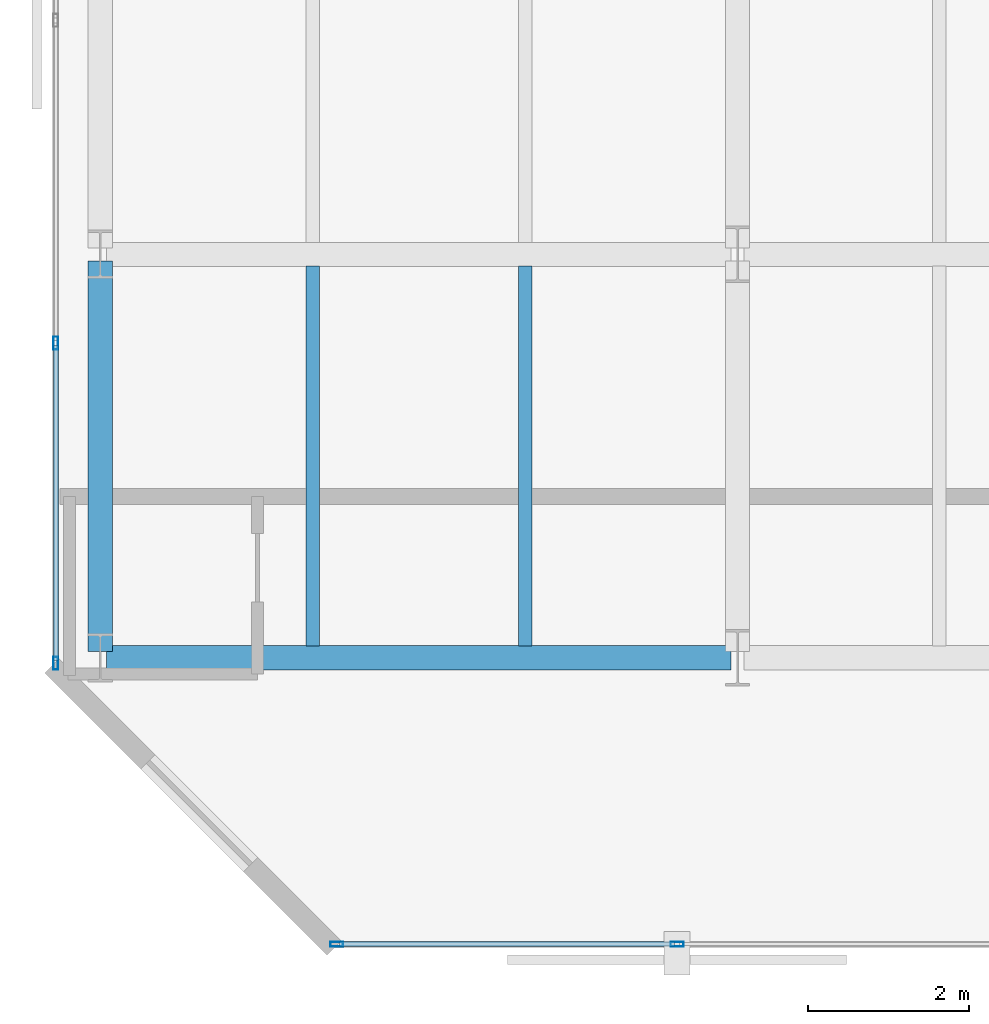
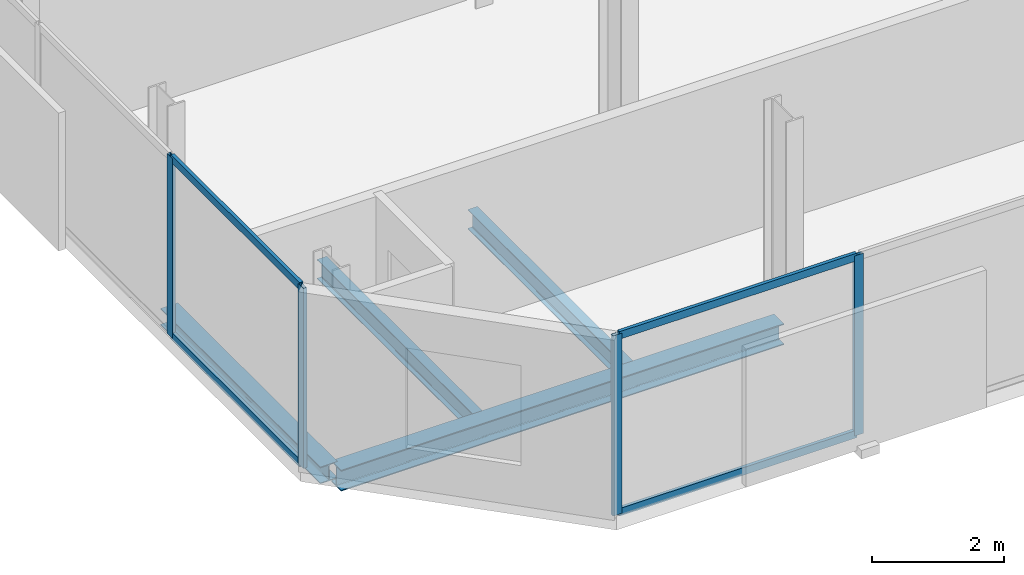
# One storey, part 3 of 32: 8 members, 4 beams, 2 elements without a shape of their own.
"""IFC4 building model written with IfcOpenShell, lengths in metres."""

from ifc_helpers import new_model, si_unit, direction, frame, origin, origin_2d, place, context, subcontext, project, spatial, hollow_rectangle, i_section, extrude, material, layer, layer_set, material_profile, profile_set, type_object, element, aggregate, save


model = new_model("IFC4")

# Units and contexts
model_context = context("Model", 3, precision=1e-05, world=origin(), true_north=direction((0.0, 1.0)))
body_context = subcontext(model_context, "Body", "Model", "MODEL_VIEW")
ifc_project = project(units=[si_unit("LENGTHUNIT", "METRE"), si_unit("AREAUNIT", "SQUARE_METRE"), si_unit("VOLUMEUNIT", "CUBIC_METRE"), si_unit("PLANEANGLEUNIT", "RADIAN"), si_unit("MASSUNIT", "GRAM", prefix="KILO")], contexts=[model_context])

# Site, building, storey
site_placement = place(None, origin())
site = spatial("IfcSite", under=ifc_project, at=site_placement, CompositionType="ELEMENT")
building_placement = place(site_placement, origin())
building = spatial("IfcBuilding", under=site, at=building_placement, Name="Catumbela Crestline Tower", CompositionType="ELEMENT")
storey_placement = place(building_placement, frame((0.0, 0.0, 136.8)))
storey = spatial("IfcBuildingStorey", under=building, at=storey_placement, Name="L35", CompositionType="ELEMENT", Elevation=136.8)

# Beams
ifc_material_1 = material(Name="Structural steel S355J2", Category="steel")
ifc_material_profile_1 = material_profile(ifc_material_1, i_section(OverallWidth=0.3, OverallDepth=0.39, WebThickness=0.011, FlangeThickness=0.019, FilletRadius=0.027, at=origin_2d()), Name="HEA 400")
ifc_profile_set_1 = profile_set([ifc_material_profile_1], Name="Structural steel S355J2")
beam_type_1 = type_object("IfcBeamType", Name="BG-HEA400", PredefinedType="BEAM", material=ifc_profile_set_1)
beam_1_placement = place(storey_placement, frame((0.68, 8.6, -0.455), z_axis=(1.0, 0.0, 0.0), x_axis=(0.0, 1.0, 0.0)))
element("IfcBeam", 1, at=beam_1_placement, inside=storey, type_object=beam_type_1, Name="L35 Beam BM-L35-WEW43", PredefinedType="BEAM", context=body_context, shape_type="SweptSolid", body=[
    extrude(i_section(OverallWidth=0.3, OverallDepth=0.39, WebThickness=0.011, FlangeThickness=0.019, FilletRadius=0.027, at=origin_2d()), origin(), (0.0, 0.0, 1.0), 7.74),
])
ifc_material_profile_2 = material_profile(ifc_material_1, i_section(OverallWidth=0.17, OverallDepth=0.36, WebThickness=0.008, FlangeThickness=0.0127, FilletRadius=0.018, at=origin_2d()), Name="IPE 360")
ifc_profile_set_2 = profile_set([ifc_material_profile_2], Name="Structural steel S355J2")
beam_type_2 = type_object("IfcBeamType", Name="BJ-IPE360", PredefinedType="JOIST", material=ifc_profile_set_2)
for number, where, z_axis, x_axis, name in (
    (2, (3.233, 8.747, -0.44), (0.0, 1.0, 0.0), (-1.0, 0.0, 0.0), "L35 Joist JS-L35-WG63"),
    (3, (5.867, 8.747, -0.44), (0.0, 1.0, 0.0), (-1.0, 0.0, 0.0), "L35 Joist JS-L35-WG64"),
):
    element("IfcBeam", number, at=place(storey_placement, frame(where, z_axis=z_axis, x_axis=x_axis)), inside=storey, type_object=beam_type_2, Name=name, PredefinedType="JOIST", context=body_context, shape_type="SweptSolid", body=[
        extrude(i_section(OverallWidth=0.17, OverallDepth=0.36, WebThickness=0.008, FlangeThickness=0.0127, FilletRadius=0.018, at=origin_2d()), origin(), (0.0, 0.0, 1.0), 4.706),
    ])

# Curtain wall, members
ifc_material_2 = material(Name="Aluminium alloy AW-6060-T66", Category="aluminium")
ifc_layer = layer(ifc_material_2, 0.18, Name="Aluminium alloy AW-6060-T66")
ifc_layer_set = layer_set([ifc_layer], Name="Aluminium alloy AW-6060-T66")
curtain_wall_type = type_object("IfcCurtainWallType", Name="CWU-Z2", PredefinedType="USERDEFINED", material=ifc_layer_set)
curtain_wall_1_placement = place(storey_placement, origin())
curtain_wall_1 = element("IfcCurtainWall", 4, at=curtain_wall_1_placement, inside=storey, type_object=curtain_wall_type, Name="L35 Unitised Curtain Wall CW-L35-E0S1", ObjectType="UNITISED", PredefinedType="USERDEFINED")
ifc_material_profile_3 = material_profile(ifc_material_2, hollow_rectangle(XDim=0.06, YDim=0.16, WallThickness=0.004, at=origin_2d()), Name="ALU 160x60x4")
ifc_profile_set_3 = profile_set([ifc_material_profile_3], Name="Aluminium alloy AW-6060-T66")
member_type_1 = type_object("IfcMemberType", Name="MUL-160X60", PredefinedType="MULLION", material=ifc_profile_set_3)
member_1_placement = place(storey_placement, frame((3.5325, 5.05, 0.0), z_axis=(0.0, 0.0, 1.0), x_axis=(0.0, 1.0, 0.0)))
member_1 = element("IfcMember", 5, at=member_1_placement, type_object=member_type_1, Name="CWU-Z2 mullion 1", PredefinedType="MULLION", context=body_context, shape_type="SweptSolid", body=[
    extrude(hollow_rectangle(XDim=0.06, YDim=0.16, WallThickness=0.004, at=origin_2d()), origin(), (0.0, 0.0, 1.0), 3.33),
])
member_2_placement = place(storey_placement, frame((7.75, 5.05, 0.0), z_axis=(0.0, 0.0, 1.0), x_axis=(0.0, 1.0, 0.0)))
member_2 = element("IfcMember", 6, at=member_2_placement, type_object=member_type_1, Name="CWU-Z2 mullion 2", PredefinedType="MULLION", context=body_context, shape_type="SweptSolid", body=[
    extrude(hollow_rectangle(XDim=0.06, YDim=0.16, WallThickness=0.004, at=origin_2d()), origin(), (0.0, 0.0, 1.0), 3.33),
])

curtain_wall_2_placement = place(storey_placement, origin())
curtain_wall_2 = element("IfcCurtainWall", 7, at=curtain_wall_2_placement, inside=storey, type_object=curtain_wall_type, Name="L35 Unitised Curtain Wall CW-L35-E9S1", ObjectType="UNITISED", PredefinedType="USERDEFINED")
member_3_placement = place(storey_placement, frame((0.05, 12.5, 0.0), z_axis=(0.0, 0.0, 1.0), x_axis=(1.0, 0.0, 0.0)))
member_3 = element("IfcMember", 8, at=member_3_placement, type_object=member_type_1, Name="CWU-Z2 mullion 9", PredefinedType="MULLION", context=body_context, shape_type="SweptSolid", body=[
    extrude(hollow_rectangle(XDim=0.06, YDim=0.16, WallThickness=0.004, at=origin_2d()), origin(), (0.0, 0.0, 1.0), 3.33),
])
member_4_placement = place(storey_placement, frame((0.05, 8.5325, 0.0), z_axis=(0.0, 0.0, 1.0), x_axis=(1.0, 0.0, 0.0)))
member_4 = element("IfcMember", 9, at=member_4_placement, type_object=member_type_1, Name="CWU-Z2 mullion 10", PredefinedType="MULLION", context=body_context, shape_type="SweptSolid", body=[
    extrude(hollow_rectangle(XDim=0.06, YDim=0.16, WallThickness=0.004, at=origin_2d()), origin(), (0.0, 0.0, 1.0), 3.33),
])

# Beam
ifc_material_profile_4 = material_profile(ifc_material_1, i_section(OverallWidth=0.3, OverallDepth=0.31, WebThickness=0.009, FlangeThickness=0.0155, FilletRadius=0.027, at=origin_2d()), Name="HEA 320")
ifc_profile_set_4 = profile_set([ifc_material_profile_4], Name="Structural steel S355J2")
beam_type_3 = type_object("IfcBeamType", Name="BS-HEA320", PredefinedType="SPANDREL", material=ifc_profile_set_4)
beam_2_placement = place(storey_placement, frame((0.6, 8.68, -0.415), z_axis=(0.0, 1.0, 0.0), x_axis=(-1.0, 0.0, 0.0)))
element("IfcBeam", 10, at=beam_2_placement, inside=storey, type_object=beam_type_3, Name="L35 Spandrel SP-L35-WNS52", PredefinedType="SPANDREL", context=body_context, shape_type="SweptSolid", body=[
    extrude(i_section(OverallWidth=0.3, OverallDepth=0.31, WebThickness=0.009, FlangeThickness=0.0155, FilletRadius=0.027, at=origin_2d()), origin(), (0.0, 0.0, 1.0), 4.84),
])

# Member
ifc_material_profile_5 = material_profile(ifc_material_2, hollow_rectangle(XDim=0.06, YDim=0.14, WallThickness=0.004, at=origin_2d()), Name="ALU 140x60x4")
ifc_profile_set_5 = profile_set([ifc_material_profile_5], Name="Aluminium alloy AW-6060-T66")
member_type_2 = type_object("IfcMemberType", Name="TRN-140X60", PredefinedType="USERDEFINED", material=ifc_profile_set_5)
member_5_placement = place(storey_placement, frame((3.565, 5.05, 0.03), z_axis=(1.0, 0.0, 0.0), x_axis=(0.0, 1.0, 0.0)))
member_5 = element("IfcMember", 11, at=member_5_placement, type_object=member_type_2, Name="CWU-Z2 transom 1.1", ObjectType="TRANSOM", PredefinedType="USERDEFINED", context=body_context, shape_type="SweptSolid", body=[
    extrude(hollow_rectangle(XDim=0.06, YDim=0.14, WallThickness=0.004, at=origin_2d()), origin(), (0.0, 0.0, 1.0), 4.1525),
])

member_6_placement = place(storey_placement, frame((3.565, 5.05, 3.3), z_axis=(1.0, 0.0, 0.0), x_axis=(0.0, 1.0, 0.0)))
member_6 = element("IfcMember", 12, at=member_6_placement, type_object=member_type_2, Name="CWU-Z2 transom 1.2", ObjectType="TRANSOM", PredefinedType="USERDEFINED", context=body_context, shape_type="SweptSolid", body=[
    extrude(hollow_rectangle(XDim=0.06, YDim=0.14, WallThickness=0.004, at=origin_2d()), origin(), (0.0, 0.0, 1.0), 4.1525),
])

aggregate(curtain_wall_1, [member_1, member_2, member_5, member_6])

member_7_placement = place(storey_placement, frame((0.05, 12.4675, 0.03), z_axis=(0.0, -1.0, 0.0), x_axis=(1.0, 0.0, 0.0)))
member_7 = element("IfcMember", 13, at=member_7_placement, type_object=member_type_2, Name="CWU-Z2 transom 9.1", ObjectType="TRANSOM", PredefinedType="USERDEFINED", context=body_context, shape_type="SweptSolid", body=[
    extrude(hollow_rectangle(XDim=0.06, YDim=0.14, WallThickness=0.004, at=origin_2d()), origin(), (0.0, 0.0, 1.0), 3.9025),
])

member_8_placement = place(storey_placement, frame((0.05, 12.4675, 3.3), z_axis=(0.0, -1.0, 0.0), x_axis=(1.0, 0.0, 0.0)))
member_8 = element("IfcMember", 14, at=member_8_placement, type_object=member_type_2, Name="CWU-Z2 transom 9.2", ObjectType="TRANSOM", PredefinedType="USERDEFINED", context=body_context, shape_type="SweptSolid", body=[
    extrude(hollow_rectangle(XDim=0.06, YDim=0.14, WallThickness=0.004, at=origin_2d()), origin(), (0.0, 0.0, 1.0), 3.9025),
])

aggregate(curtain_wall_2, [member_3, member_4, member_7, member_8])

save(model, "model.ifc")
